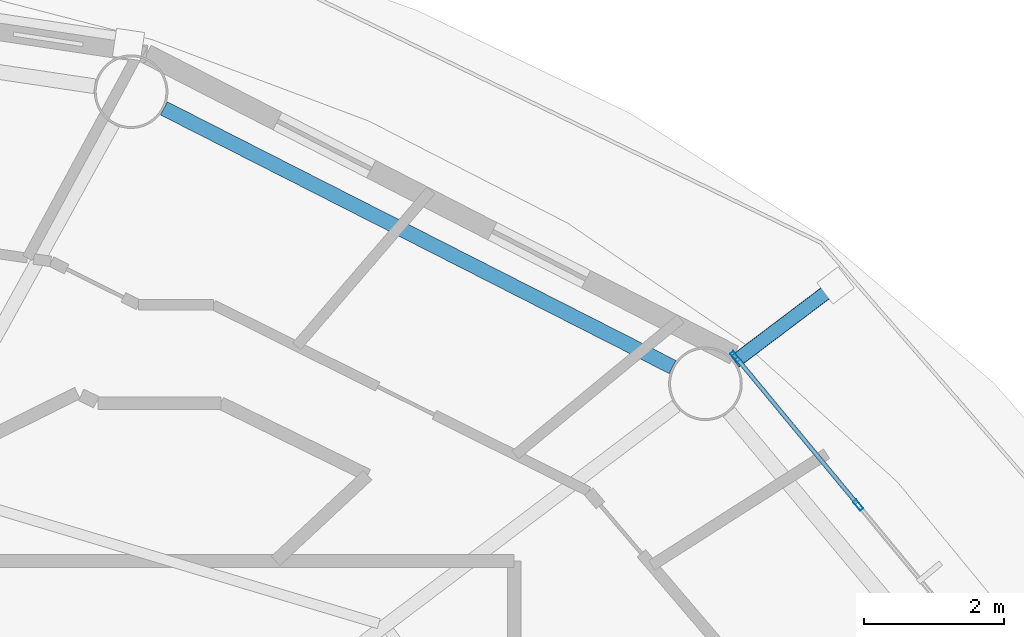
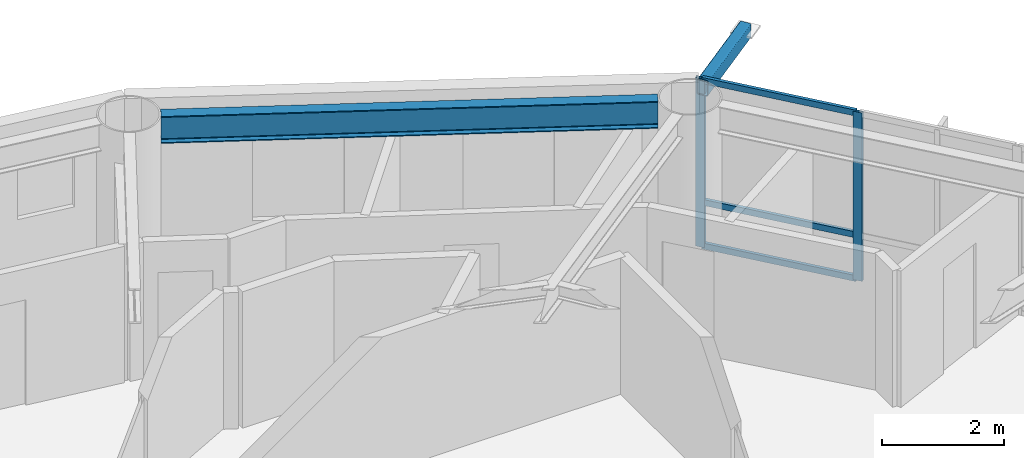
# One storey, part 11 of 23: 6 members, 1 beam, 1 element without a shape of its own.
"""IFC4 building model written with IfcOpenShell, lengths in metres."""

from ifc_helpers import new_model, si_unit, direction, frame, origin, origin_2d, place, context, subcontext, project, spatial, hollow_rectangle, i_section, extrude, material, layer, layer_set, material_profile, profile_set, type_object, element, aggregate, save


model = new_model("IFC4")

# Units and contexts
model_context = context("Model", 3, precision=1e-05, world=origin(), true_north=direction((0.0, 1.0)))
body_context = subcontext(model_context, "Body", "Model", "MODEL_VIEW")
ifc_project = project(units=[si_unit("LENGTHUNIT", "METRE"), si_unit("AREAUNIT", "SQUARE_METRE"), si_unit("VOLUMEUNIT", "CUBIC_METRE"), si_unit("PLANEANGLEUNIT", "RADIAN"), si_unit("MASSUNIT", "GRAM", prefix="KILO")], contexts=[model_context])

# Site, building, storey
site_placement = place(None, origin())
site = spatial("IfcSite", under=ifc_project, at=site_placement, CompositionType="ELEMENT")
building_placement = place(site_placement, origin())
building = spatial("IfcBuilding", under=site, at=building_placement, Name="Sarneth Arch Tower", CompositionType="ELEMENT")
storey_placement = place(building_placement, frame((0.0, 0.0, 249.60009765625)))
storey = spatial("IfcBuildingStorey", under=building, at=storey_placement, Name="L64", CompositionType="ELEMENT", Elevation=249.60009765625)

# Beam
ifc_material_1 = material(Name="Steel S355", Category="steel")
ifc_material_profile_1 = material_profile(ifc_material_1, i_section(OverallWidth=0.2109375, OverallDepth=0.5390625, WebThickness=0.01171875, FlangeThickness=0.018798828125, FilletRadius=0.01806640625, at=origin_2d()), Name="W530x109")
ifc_profile_set_1 = profile_set([ifc_material_profile_1], Name="Steel S355")
beam_type = type_object("IfcBeamType", Name="BM-RAD-530B", PredefinedType="BEAM", material=ifc_profile_set_1)
beam_placement = place(storey_placement, frame((65.50732421875, 55.814453125, 3.09033203125), z_axis=(-0.891368271482, 0.453279830342, 0.0), x_axis=(-0.453279830342, -0.891368271482, 0.0)))
element("IfcBeam", 1, at=beam_placement, inside=storey, type_object=beam_type, Name="L64 Perimeter spandrel beam 03", PredefinedType="BEAM", context=body_context, shape_type="SweptSolid", body=[
    extrude(i_section(OverallWidth=0.2109375, OverallDepth=0.5390625, WebThickness=0.01171875, FlangeThickness=0.018798828125, FilletRadius=0.01806640625, at=origin_2d()), origin(), (0.0, 0.0, 1.0), 8.1318359375),
])

# Curtain wall, members
ifc_material_2 = material(Name="Anodised aluminium Type AA25 and solar-control low-e laminated IGU", Category="aluminium")
ifc_layer = layer(ifc_material_2, 0.179931640625)
ifc_layer_set = layer_set([ifc_layer], Name="Anodised aluminium Type AA25 and solar-control low-e laminated IGU")
curtain_wall_type = type_object("IfcCurtainWallType", Name="CW-RES-HIGH", PredefinedType="NOTDEFINED", material=ifc_layer_set)
curtain_wall_placement = place(storey_placement, origin())
curtain_wall = element("IfcCurtainWall", 2, at=curtain_wall_placement, inside=storey, type_object=curtain_wall_type, Name="L64 Unitised curtain wall facet 02", PredefinedType="NOTDEFINED")
ifc_material_3 = material(Name="Anodised Aluminium 6063-T6", Category="aluminium")
ifc_material_profile_2 = material_profile(ifc_material_3, hollow_rectangle(XDim=0.06005859375, YDim=0.159912109375, WallThickness=0.00390625, at=origin_2d()), Name="AL-MULL-160x60x4")
ifc_profile_set_2 = profile_set([ifc_material_profile_2], Name="Anodised Aluminium 6063-T6")
member_type_1 = type_object("IfcMemberType", Name="CW-MULLION", PredefinedType="MULLION", material=ifc_profile_set_2)
member_1_placement = place(storey_placement, frame((68.15283203125, 53.84765625, 0.0), z_axis=(0.0, 0.0, 1.0), x_axis=(-0.770359245933, -0.637610094184, 0.0)))
member_1 = element("IfcMember", 3, at=member_1_placement, type_object=member_type_1, Name="CW-SYS-6 mullion 3", PredefinedType="MULLION", context=body_context, shape_type="SweptSolid", body=[
    extrude(hollow_rectangle(XDim=0.06005859375, YDim=0.159912109375, WallThickness=0.00390625, at=origin_2d()), origin(), (0.0, 0.0, 1.0), 3.35986328125),
])
member_2_placement = place(storey_placement, frame((66.401611328125, 55.96337890625, 0.0), z_axis=(0.0, 0.0, 1.0), x_axis=(-0.770359245933, -0.637610094184, 0.0)))
member_2 = element("IfcMember", 4, at=member_2_placement, type_object=member_type_1, Name="CW-SYS-6 mullion 4", PredefinedType="MULLION", context=body_context, shape_type="SweptSolid", body=[
    extrude(hollow_rectangle(XDim=0.06005859375, YDim=0.159912109375, WallThickness=0.00390625, at=origin_2d()), origin(), (0.0, 0.0, 1.0), 3.35986328125),
])
ifc_material_4 = material(Name="Anodised Aluminium 6063-T6", Category="aluminium")
ifc_material_profile_3 = material_profile(ifc_material_4, hollow_rectangle(XDim=0.06005859375, YDim=0.1201171875, WallThickness=0.00390625, at=origin_2d()), Name="AL-TRAN-120x60x4")
ifc_profile_set_3 = profile_set([ifc_material_profile_3], Name="Anodised Aluminium 6063-T6")
member_type_2 = type_object("IfcMemberType", Name="CW-TRANSOM", PredefinedType="USERDEFINED", material=ifc_profile_set_3)
member_3_placement = place(storey_placement, frame((68.1337890625, 53.87060546875, 0.02978515625), z_axis=(-0.637606765719, 0.770362000821, 0.0), x_axis=(-0.770362000821, -0.637606765719, 0.0)))
member_3 = element("IfcMember", 5, at=member_3_placement, type_object=member_type_2, Name="CW-SYS-6 transom 3.1", ObjectType="TRANSOM", PredefinedType="USERDEFINED", context=body_context, shape_type="SweptSolid", body=[
    extrude(hollow_rectangle(XDim=0.06005859375, YDim=0.1201171875, WallThickness=0.00390625, at=origin_2d()), origin(), (0.0, 0.0, 1.0), 2.686767578125),
])
member_4_placement = place(storey_placement, frame((68.1337890625, 53.87060546875, 0.89990234375), z_axis=(-0.637606765719, 0.770362000821, 0.0), x_axis=(-0.770362000821, -0.637606765719, 0.0)))
member_4 = element("IfcMember", 6, at=member_4_placement, type_object=member_type_2, Name="CW-SYS-6 transom 3.2", ObjectType="TRANSOM", PredefinedType="USERDEFINED", context=body_context, shape_type="SweptSolid", body=[
    extrude(hollow_rectangle(XDim=0.06005859375, YDim=0.1201171875, WallThickness=0.00390625, at=origin_2d()), origin(), (0.0, 0.0, 1.0), 2.686767578125),
])
member_5_placement = place(storey_placement, frame((68.1337890625, 53.87060546875, 3.329833984375), z_axis=(-0.637606765719, 0.770362000821, 0.0), x_axis=(-0.770362000821, -0.637606765719, 0.0)))
member_5 = element("IfcMember", 7, at=member_5_placement, type_object=member_type_2, Name="CW-SYS-6 transom 3.3", ObjectType="TRANSOM", PredefinedType="USERDEFINED", context=body_context, shape_type="SweptSolid", body=[
    extrude(hollow_rectangle(XDim=0.06005859375, YDim=0.1201171875, WallThickness=0.00390625, at=origin_2d()), origin(), (0.0, 0.0, 1.0), 2.686767578125),
])
aggregate(curtain_wall, [member_1, member_2, member_3, member_4, member_5])

# Member
ifc_material_5 = material(Name="Steel S355", Category="steel")
ifc_material_profile_4 = material_profile(ifc_material_5, hollow_rectangle(XDim=0.199951171875, YDim=0.300048828125, WallThickness=0.012451171875, InnerFilletRadius=0.018798828125, OuterFilletRadius=0.03125, at=origin_2d()), Name="RHS300x200x12.5")
ifc_profile_set_4 = profile_set([ifc_material_profile_4], Name="Steel S355")
member_type_3 = type_object("IfcMemberType", Name="MEM-CANT-STRUT", PredefinedType="STRUT", material=ifc_profile_set_4)
member_6_placement = place(storey_placement, frame((66.39404296875, 55.892822265625, 3.199951171875), z_axis=(0.797977476404, 0.602687271437, 0.0), x_axis=(-0.602687271437, 0.797977476404, 0.0)))
element("IfcMember", 8, at=member_6_placement, inside=storey, type_object=member_type_3, Name="L64 Balcony cantilever bracket 03", PredefinedType="STRUT", context=body_context, shape_type="SweptSolid", body=[
    extrude(hollow_rectangle(XDim=0.199951171875, YDim=0.300048828125, WallThickness=0.012451171875, InnerFilletRadius=0.018798828125, OuterFilletRadius=0.03125, at=origin_2d()), origin(), (0.0, 0.0, 1.0), 1.80029296875),
])

save(model, "model.ifc")
